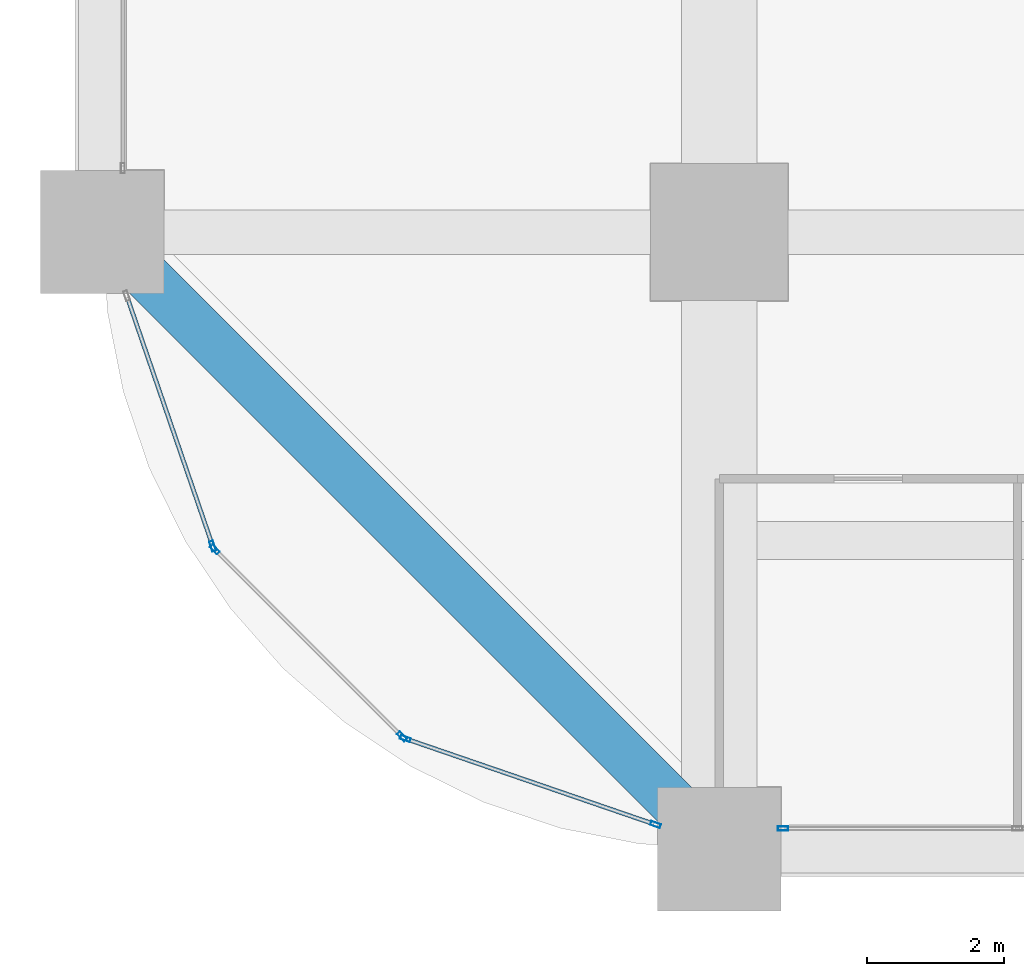
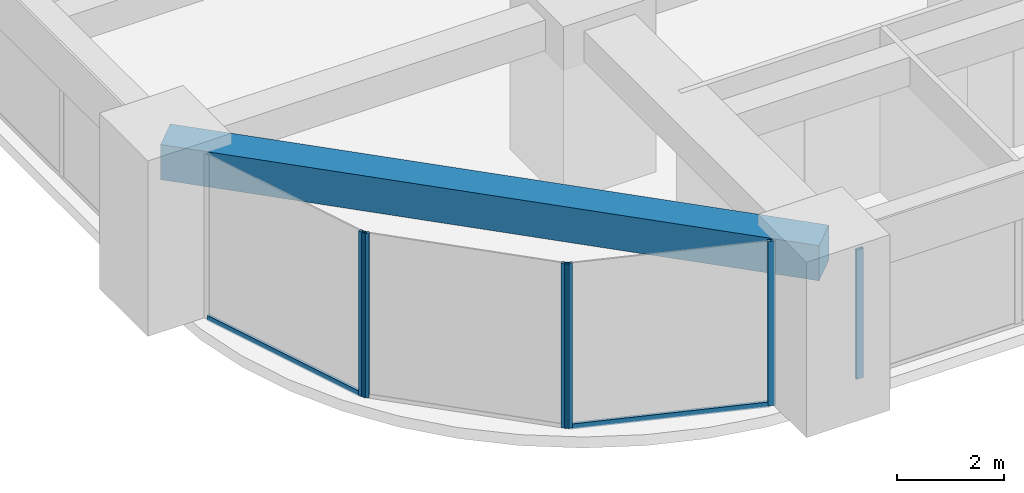
# One storey, part 2 of 41: 8 members, 1 beam, 4 elements without a shape of their own.
"""IFC4 building model written with IfcOpenShell, lengths in metres."""

from ifc_helpers import new_model, si_unit, direction, frame, origin, origin_2d, place, context, subcontext, project, spatial, rectangle, hollow_rectangle, extrude, material, material_profile, profile_set, type_object, element, aggregate, save


model = new_model("IFC4")

# Units and contexts
model_context = context("Model", 3, precision=1e-05, world=origin(), true_north=direction((0.0, 1.0)))
body_context = subcontext(model_context, "Body", "Model", "MODEL_VIEW")
ifc_project = project(units=[si_unit("LENGTHUNIT", "METRE"), si_unit("AREAUNIT", "SQUARE_METRE"), si_unit("VOLUMEUNIT", "CUBIC_METRE"), si_unit("PLANEANGLEUNIT", "RADIAN"), si_unit("MASSUNIT", "GRAM", prefix="KILO")], contexts=[model_context])

# Site, building, storey
site_placement = place(None, origin())
site = spatial("IfcSite", under=ifc_project, at=site_placement, CompositionType="ELEMENT")
building_placement = place(site_placement, origin())
building = spatial("IfcBuilding", under=site, at=building_placement, Name="Zorevar Civic Tower", CompositionType="ELEMENT")
storey_placement = place(building_placement, frame((0.0, 0.0, 105.0)))
storey = spatial("IfcBuildingStorey", under=building, at=storey_placement, Name="L25", CompositionType="ELEMENT", Elevation=105.0)

# Curtain wall, member
ifc_material_1 = material(Name="Dark grey solar-control glass in black aluminium frame", Category="aluminium")
curtain_wall_type = type_object("IfcCurtainWallType", Name="Curtain wall CW3 mid zone", PredefinedType="NOTDEFINED", material=ifc_material_1)
curtain_wall_1_placement = place(storey_placement, origin())
curtain_wall_1 = element("IfcCurtainWall", 1, at=curtain_wall_1_placement, inside=storey, type_object=curtain_wall_type, Name="CW3 L25", PredefinedType="NOTDEFINED")
ifc_material_2 = material(Name="Aluminium, black anodised", Category="aluminium")
ifc_material_profile_1 = material_profile(ifc_material_2, hollow_rectangle(XDim=0.06005859375, YDim=0.14990234375, WallThickness=0.00390625, at=origin_2d()), Name="AL 150x60x4")
ifc_profile_set_1 = profile_set([ifc_material_profile_1], Name="Aluminium, black anodised")
member_type_1 = type_object("IfcMemberType", Name="CW3 mullion AL 150x60x4", PredefinedType="MULLION", material=ifc_profile_set_1)
member_1_placement = place(storey_placement, frame((9.929931640625, 0.300048828125, 0.0), z_axis=(0.0, 0.0, 1.0), x_axis=(0.0, 1.0, 0.0)))
member_1 = element("IfcMember", 2, at=member_1_placement, type_object=member_type_1, Name="CW3 mullion 1", PredefinedType="MULLION", context=body_context, shape_type="SweptSolid", body=[
    extrude(hollow_rectangle(XDim=0.06005859375, YDim=0.14990234375, WallThickness=0.00390625, at=origin_2d()), origin(), (0.0, 0.0, 1.0), 2.949951171875),
])
aggregate(curtain_wall_1, [member_1])

curtain_wall_2_placement = place(storey_placement, origin())
curtain_wall_2 = element("IfcCurtainWall", 3, at=curtain_wall_2_placement, inside=storey, type_object=curtain_wall_type, Name="CW3 L25", PredefinedType="NOTDEFINED")
member_2_placement = place(storey_placement, frame((1.610595703125, 4.420654296875, 0.0), z_axis=(0.0, 0.0, 1.0), x_axis=(0.945755772794, 0.324878466857, 0.0)))
member_2 = element("IfcMember", 4, at=member_2_placement, type_object=member_type_1, Name="CW3 mullion 2", PredefinedType="MULLION", context=body_context, shape_type="SweptSolid", body=[
    extrude(hollow_rectangle(XDim=0.06005859375, YDim=0.14990234375, WallThickness=0.00390625, at=origin_2d()), origin(), (0.0, 0.0, 1.0), 3.75),
])

# Curtain wall, members
curtain_wall_3_placement = place(storey_placement, origin())
curtain_wall_3 = element("IfcCurtainWall", 5, at=curtain_wall_3_placement, inside=storey, type_object=curtain_wall_type, Name="CW3 L25", PredefinedType="NOTDEFINED")
member_3_placement = place(storey_placement, frame((1.6416015625, 4.37109375, 0.0), z_axis=(0.0, 0.0, 1.0), x_axis=(0.707106781187, 0.707106781187, 0.0)))
member_3 = element("IfcMember", 6, at=member_3_placement, type_object=member_type_1, Name="CW3 mullion 1", PredefinedType="MULLION", context=body_context, shape_type="SweptSolid", body=[
    extrude(hollow_rectangle(XDim=0.06005859375, YDim=0.14990234375, WallThickness=0.00390625, at=origin_2d()), origin(), (0.0, 0.0, 1.0), 3.75),
])
member_4_placement = place(storey_placement, frame((4.37109375, 1.6416015625, 0.0), z_axis=(0.0, 0.0, 1.0), x_axis=(0.707106781187, 0.707106781187, 0.0)))
member_4 = element("IfcMember", 7, at=member_4_placement, type_object=member_type_1, Name="CW3 mullion 2", PredefinedType="MULLION", context=body_context, shape_type="SweptSolid", body=[
    extrude(hollow_rectangle(XDim=0.06005859375, YDim=0.14990234375, WallThickness=0.00390625, at=origin_2d()), origin(), (0.0, 0.0, 1.0), 3.75),
])
aggregate(curtain_wall_3, [member_3, member_4])

curtain_wall_4_placement = place(storey_placement, origin())
curtain_wall_4 = element("IfcCurtainWall", 8, at=curtain_wall_4_placement, inside=storey, type_object=curtain_wall_type, Name="CW3 L25", PredefinedType="NOTDEFINED")
member_5_placement = place(storey_placement, frame((4.420654296875, 1.610595703125, 0.0), z_axis=(0.0, 0.0, 1.0), x_axis=(0.324878466857, 0.945755772794, 0.0)))
member_5 = element("IfcMember", 9, at=member_5_placement, type_object=member_type_1, Name="CW3 mullion 1", PredefinedType="MULLION", context=body_context, shape_type="SweptSolid", body=[
    extrude(hollow_rectangle(XDim=0.06005859375, YDim=0.14990234375, WallThickness=0.00390625, at=origin_2d()), origin(), (0.0, 0.0, 1.0), 3.75),
])
member_6_placement = place(storey_placement, frame((8.071533203125, 0.3564453125, 0.0), z_axis=(0.0, 0.0, 1.0), x_axis=(0.324878466857, 0.945755772794, 0.0)))
member_6 = element("IfcMember", 10, at=member_6_placement, type_object=member_type_1, Name="CW3 mullion 2", PredefinedType="MULLION", context=body_context, shape_type="SweptSolid", body=[
    extrude(hollow_rectangle(XDim=0.06005859375, YDim=0.14990234375, WallThickness=0.00390625, at=origin_2d()), origin(), (0.0, 0.0, 1.0), 3.75),
])

# Member
ifc_material_3 = material(Name="Aluminium, black anodised", Category="aluminium")
ifc_material_profile_2 = material_profile(ifc_material_3, hollow_rectangle(XDim=0.06005859375, YDim=0.1201171875, WallThickness=0.0029296875, at=origin_2d()), Name="AL 120x60x3")
ifc_profile_set_2 = profile_set([ifc_material_profile_2], Name="Aluminium, black anodised")
member_type_2 = type_object("IfcMemberType", Name="CW3 transom AL 120x60x3", PredefinedType="USERDEFINED", material=ifc_profile_set_2)
member_7_placement = place(storey_placement, frame((0.3662109375, 8.043212890625, 0.030029296875), z_axis=(0.324887643602, -0.945752620422, 0.0), x_axis=(0.945752620422, 0.324887643602, 0.0)))
member_7 = element("IfcMember", 11, at=member_7_placement, type_object=member_type_2, Name="CW3 sill transom", ObjectType="TRANSOM", PredefinedType="USERDEFINED", context=body_context, shape_type="SweptSolid", body=[
    extrude(hollow_rectangle(XDim=0.06005859375, YDim=0.1201171875, WallThickness=0.0029296875, at=origin_2d()), origin(), (0.0, 0.0, 1.0), 3.800048828125),
])

aggregate(curtain_wall_2, [member_2, member_7])

member_8_placement = place(storey_placement, frame((4.44921875, 1.600830078125, 0.030029296875), z_axis=(0.945752620422, -0.324887643602, 0.0), x_axis=(0.324887643602, 0.945752620422, 0.0)))
member_8 = element("IfcMember", 12, at=member_8_placement, type_object=member_type_2, Name="CW3 sill transom", ObjectType="TRANSOM", PredefinedType="USERDEFINED", context=body_context, shape_type="SweptSolid", body=[
    extrude(hollow_rectangle(XDim=0.06005859375, YDim=0.1201171875, WallThickness=0.0029296875, at=origin_2d()), origin(), (0.0, 0.0, 1.0), 3.800048828125),
])

aggregate(curtain_wall_4, [member_5, member_6, member_8])

# Beam
ifc_material_4 = material(Name="Concrete C50/60", Category="concrete")
ifc_material_profile_3 = material_profile(ifc_material_4, rectangle(XDim=0.699951171875, YDim=0.800048828125, at=origin_2d()), Name="RC 700x800")
ifc_profile_set_3 = profile_set([ifc_material_profile_3], Name="Concrete C50/60")
beam_type = type_object("IfcBeamType", Name="Edge beam RC 700x800", PredefinedType="SPANDREL", material=ifc_profile_set_3)
beam_placement = place(storey_placement, frame((0.0, 9.0, 3.35009765625), z_axis=(0.707106781187, -0.707106781187, 0.0), x_axis=(0.707106781187, 0.707106781187, 0.0)))
element("IfcBeam", 13, at=beam_placement, inside=storey, type_object=beam_type, Name="Corner edge beam L26", PredefinedType="SPANDREL", context=body_context, shape_type="SweptSolid", body=[
    extrude(rectangle(XDim=0.699951171875, YDim=0.800048828125, at=origin_2d()), origin(), (0.0, 0.0, 1.0), 12.72802734375),
])

save(model, "model.ifc")
